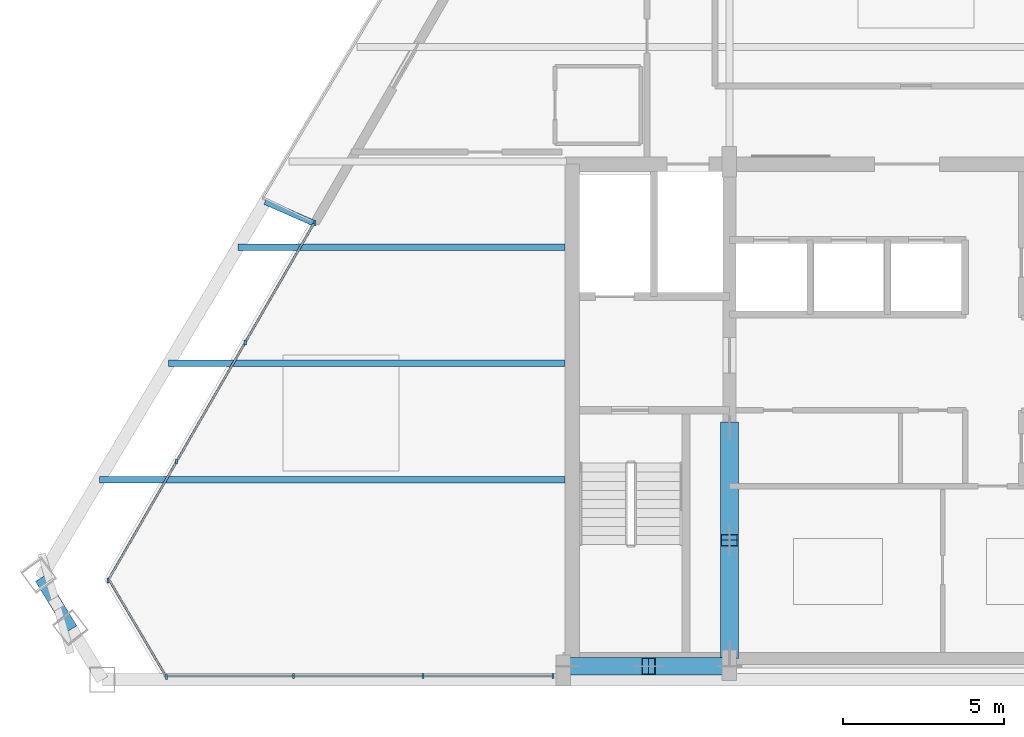
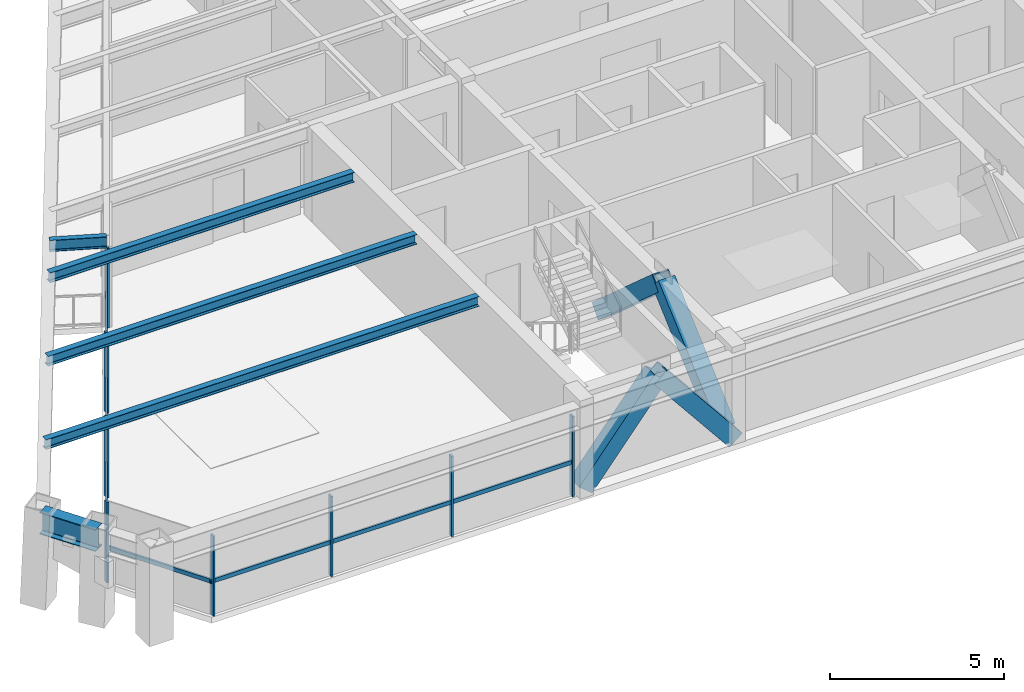
# One storey, part 2 of 13: 19 members, 5 beams, 3 elements without a shape of their own.
"""IFC4 building model written with IfcOpenShell, lengths in metres."""

from ifc_helpers import new_model, si_unit, direction, frame, origin, origin_2d, place, context, subcontext, project, spatial, rectangle, hollow_rectangle, i_section, extrude, source, transform, mapped, material, material_profile, profile_set, type_object, type_shapes, element, aggregate, save


model = new_model("IFC4")

# Units and contexts
model_context = context("Model", 3, precision=1e-05, world=origin(), true_north=direction((0.0, 1.0)))
body_context = subcontext(model_context, "Body", "Model", "MODEL_VIEW")
ifc_project = project(units=[si_unit("LENGTHUNIT", "METRE"), si_unit("AREAUNIT", "SQUARE_METRE"), si_unit("VOLUMEUNIT", "CUBIC_METRE"), si_unit("PLANEANGLEUNIT", "RADIAN"), si_unit("MASSUNIT", "GRAM", prefix="KILO")], contexts=[model_context])

# Site, building, storey
site_placement = place(None, origin())
site = spatial("IfcSite", under=ifc_project, at=site_placement, CompositionType="ELEMENT")
building_placement = place(site_placement, origin())
building = spatial("IfcBuilding", under=site, at=building_placement, Name="Varnakhor Terracotta Tower", CompositionType="ELEMENT")
storey_placement = place(building_placement, frame((0.0, 0.0, 279.89990234375)))
storey = spatial("IfcBuildingStorey", under=building, at=storey_placement, Name="L73", CompositionType="ELEMENT", Elevation=279.89990234375)

# Members
ifc_material_1 = material(Name="Steel S355", Category="steel")
ifc_material_profile_1 = material_profile(ifc_material_1, hollow_rectangle(XDim=0.550048828125, YDim=0.550048828125, WallThickness=0.034912109375, at=origin_2d()), Name="HSS550X550X35")
ifc_profile_set_1 = profile_set([ifc_material_profile_1], Name="Steel S355")
member_type_1 = type_object("IfcMemberType", Name="MBR-MEGA-550", PredefinedType="BRACE", material=ifc_profile_set_1)
shared_shape_1 = source(origin(), body_context, "Body", "SweptSolid", [
    extrude(hollow_rectangle(XDim=0.550048828125, YDim=0.550048828125, WallThickness=0.034912109375, at=origin_2d()), origin(), (0.0, 0.0, 1.0), 3.974853515625),
])
for number, where, z_axis, x_axis, name in (
    (1, (-10.5, 0.419921875, 0.0), (0.628970263838, 0.0, 0.777429358339), (0.0, 1.0, 0.0), "L73 Core Coupled Brace CSWA"),
    (2, (-5.5, 0.419921875, 0.0), (-0.628970263838, 0.0, 0.777429358339), (0.0, -1.0, 0.0), "L73 Core Coupled Brace CSWB"),
):
    element("IfcMember", number, at=place(storey_placement, frame(where, z_axis=z_axis, x_axis=x_axis)), inside=storey, type_object=member_type_1, Name=name, PredefinedType="BRACE", context=body_context, shape_type="MappedRepresentation", body=[
        mapped(shared_shape_1, transform((0.0, 0.0, 0.0), scale=1.0)),
    ])
shared_shape_2 = source(origin(), body_context, "Body", "SweptSolid", [
    extrude(hollow_rectangle(XDim=0.550048828125, YDim=0.550048828125, WallThickness=0.034912109375, at=origin_2d()), origin(), (0.0, 0.0, 1.0), 4.650146484375),
])
for number, where, z_axis, x_axis, name in (
    (3, (-5.5, 0.85009765625, 0.0), (0.0, 0.74726736397, 0.664523503532), (-1.0, 0.0, 0.0), "L73 Core Coupled Brace CWWA"),
    (4, (-5.5, 7.800048828125, 0.0), (0.0, -0.74729054724, 0.664497432655), (1.0, 0.0, 0.0), "L73 Core Coupled Brace CWWB"),
):
    element("IfcMember", number, at=place(storey_placement, frame(where, z_axis=z_axis, x_axis=x_axis)), inside=storey, type_object=member_type_1, Name=name, PredefinedType="BRACE", context=body_context, shape_type="MappedRepresentation", body=[
        mapped(shared_shape_2, transform((0.0, 0.0, 0.0), scale=1.0)),
    ])

# Beams
ifc_material_profile_2 = material_profile(ifc_material_1, i_section(OverallWidth=0.381103515625, OverallDepth=0.77294921875, WebThickness=0.01708984375, FlangeThickness=0.027099609375, FilletRadius=0.01806640625, at=origin_2d()), Name="W30X173")
ifc_profile_set_2 = profile_set([ifc_material_profile_2], Name="Steel S355")
beam_type_1 = type_object("IfcBeamType", Name="BM-W30X173", PredefinedType="BEAM", material=ifc_profile_set_2)
shared_shape_3 = source(origin(), body_context, "Body", "SweptSolid", [
    extrude(i_section(OverallWidth=0.381103515625, OverallDepth=0.77294921875, WebThickness=0.01708984375, FlangeThickness=0.027099609375, FilletRadius=0.01806640625, at=origin_2d()), origin(), (0.0, 0.0, 1.0), 1.84130859375),
])
beam_1_placement = place(storey_placement, frame((-26.832275390625, 3.148681640625, 2.853515625), z_axis=(0.518545586402, -0.855049983816, 0.0), x_axis=(0.855049983816, 0.518545586402, 0.0)))
element("IfcBeam", 5, at=beam_1_placement, inside=storey, type_object=beam_type_1, Name="L73 Perimeter Spandrel 7", PredefinedType="BEAM", context=body_context, shape_type="MappedRepresentation", body=[
    mapped(shared_shape_3, transform((0.0, 0.0, 0.0), scale=1.0)),
])
ifc_material_profile_3 = material_profile(ifc_material_1, i_section(OverallWidth=0.202880859375, OverallDepth=0.346923828125, WebThickness=0.0078125, FlangeThickness=0.013427734375, FilletRadius=0.01806640625, at=origin_2d()), Name="W14X43")
ifc_profile_set_3 = profile_set([ifc_material_profile_3], Name="Steel S355")
beam_type_2 = type_object("IfcBeamType", Name="JST-W14X43", PredefinedType="JOIST", material=ifc_profile_set_3)
shared_shape_4 = source(origin(), body_context, "Body", "SweptSolid", [
    extrude(i_section(OverallWidth=0.202880859375, OverallDepth=0.346923828125, WebThickness=0.0078125, FlangeThickness=0.013427734375, FilletRadius=0.01806640625, at=origin_2d()), origin(), (0.0, 0.0, 1.0), 14.413818359375),
])
beam_2_placement = place(storey_placement, frame((-25.013916015625, 6.199951171875, 3.066650390625), z_axis=(1.0, 0.0, 0.0), x_axis=(0.0, 1.0, 0.0)))
element("IfcBeam", 6, at=beam_2_placement, inside=storey, type_object=beam_type_2, Name="L73 Floor Joist W1", PredefinedType="JOIST", context=body_context, shape_type="MappedRepresentation", body=[
    mapped(shared_shape_4, transform((0.0, 0.0, 0.0), scale=1.0)),
])
shared_shape_5 = source(origin(), body_context, "Body", "SweptSolid", [
    extrude(i_section(OverallWidth=0.202880859375, OverallDepth=0.346923828125, WebThickness=0.0078125, FlangeThickness=0.013427734375, FilletRadius=0.01806640625, at=origin_2d()), origin(), (0.0, 0.0, 1.0), 12.268310546875),
])
beam_3_placement = place(storey_placement, frame((-22.868408203125, 9.800048828125, 3.066650390625), z_axis=(1.0, 0.0, 0.0), x_axis=(0.0, 1.0, 0.0)))
element("IfcBeam", 7, at=beam_3_placement, inside=storey, type_object=beam_type_2, Name="L73 Floor Joist W2", PredefinedType="JOIST", context=body_context, shape_type="MappedRepresentation", body=[
    mapped(shared_shape_5, transform((0.0, 0.0, 0.0), scale=1.0)),
])
shared_shape_6 = source(origin(), body_context, "Body", "SweptSolid", [
    extrude(i_section(OverallWidth=0.202880859375, OverallDepth=0.346923828125, WebThickness=0.0078125, FlangeThickness=0.013427734375, FilletRadius=0.01806640625, at=origin_2d()), origin(), (0.0, 0.0, 1.0), 10.122802734375),
])
beam_4_placement = place(storey_placement, frame((-20.722900390625, 13.39990234375, 3.066650390625), z_axis=(1.0, 0.0, 0.0), x_axis=(0.0, 1.0, 0.0)))
element("IfcBeam", 8, at=beam_4_placement, inside=storey, type_object=beam_type_2, Name="L73 Floor Joist W3", PredefinedType="JOIST", context=body_context, shape_type="MappedRepresentation", body=[
    mapped(shared_shape_6, transform((0.0, 0.0, 0.0), scale=1.0)),
])

# Curtain wall, members
ifc_material_2 = material(Name="Anodised Aluminium Curtain Wall System", Category="aluminium")
curtain_wall_type = type_object("IfcCurtainWallType", Name="CW-SYS-HOTEL-LOGGIA", PredefinedType="NOTDEFINED", material=ifc_material_2)
curtain_wall_1_placement = place(storey_placement, origin())
curtain_wall_1 = element("IfcCurtainWall", 9, at=curtain_wall_1_placement, inside=storey, type_object=curtain_wall_type, Name="L73 W Facet Curtain Wall 1", PredefinedType="NOTDEFINED")
ifc_material_3 = material(Name="Anodised Aluminium 6063-T6", Category="aluminium")
ifc_material_profile_4 = material_profile(ifc_material_3, rectangle(XDim=0.06494140625, YDim=0.159912109375, at=origin_2d()), Name="ALU MULLION 65x160")
ifc_profile_set_4 = profile_set([ifc_material_profile_4], Name="Anodised Aluminium 6063-T6")
member_type_2 = type_object("IfcMemberType", Name="CWM-04", PredefinedType="MULLION", material=ifc_profile_set_4)
shared_shape_7 = source(origin(), body_context, "Body", "SweptSolid", [
    extrude(rectangle(XDim=0.06494140625, YDim=0.159912109375, at=origin_2d()), origin(), (0.0, 0.0, 1.0), 2.820068359375),
])
type_shapes(member_type_2, [shared_shape_7])
member_1_placement = place(storey_placement, frame((-24.74560546875, 3.080810546875, 0.0), z_axis=(0.0, 0.0, 1.0), x_axis=(1.0, 0.0, 0.0)))
member_1 = element("IfcMember", 10, at=member_1_placement, type_object=member_type_2, Name="L73 W Facet Curtain Wall 1 Mullion 1", PredefinedType="MULLION", context=body_context, shape_type="MappedRepresentation", body=[
    mapped(shared_shape_7, transform((0.0, 0.0, 0.0), scale=1.0)),
])
member_2_placement = place(storey_placement, frame((-22.62109375, 6.765380859375, 0.0), z_axis=(0.0, 0.0, 1.0), x_axis=(1.0, 0.0, 0.0)))
member_2 = element("IfcMember", 11, at=member_2_placement, type_object=member_type_2, Name="L73 W Facet Curtain Wall 1 Mullion 2", PredefinedType="MULLION", context=body_context, shape_type="MappedRepresentation", body=[
    mapped(shared_shape_7, transform((0.0, 0.0, 0.0), scale=1.0)),
])
member_3_placement = place(storey_placement, frame((-20.496826171875, 10.44970703125, 0.0), z_axis=(0.0, 0.0, 1.0), x_axis=(1.0, 0.0, 0.0)))
member_3 = element("IfcMember", 12, at=member_3_placement, type_object=member_type_2, Name="L73 W Facet Curtain Wall 1 Mullion 3", PredefinedType="MULLION", context=body_context, shape_type="MappedRepresentation", body=[
    mapped(shared_shape_7, transform((0.0, 0.0, 0.0), scale=1.0)),
])
member_4_placement = place(storey_placement, frame((-18.340087890625, 14.14990234375, 0.0), z_axis=(0.0, 0.0, 1.0), x_axis=(1.0, 0.0, 0.0)))
member_4 = element("IfcMember", 13, at=member_4_placement, type_object=member_type_2, Name="L73 W Loggia Jamb Closure Mullion 1", PredefinedType="MULLION", context=body_context, shape_type="MappedRepresentation", body=[
    mapped(shared_shape_7, transform((0.0, 0.0, 0.0), scale=1.0)),
])

curtain_wall_2_placement = place(storey_placement, origin())
curtain_wall_2 = element("IfcCurtainWall", 14, at=curtain_wall_2_placement, inside=storey, type_object=curtain_wall_type, Name="L73 South Wing Curtain Wall SSW", PredefinedType="NOTDEFINED")
member_5_placement = place(storey_placement, frame((-10.969970703125, 0.1201171875, 0.0), z_axis=(0.0, 0.0, 1.0), x_axis=(1.0, 0.0, 0.0)))
member_5 = element("IfcMember", 15, at=member_5_placement, type_object=member_type_2, Name="L73 South Wing Curtain Wall SSW Mullion 1", PredefinedType="MULLION", context=body_context, shape_type="MappedRepresentation", body=[
    mapped(shared_shape_7, transform((0.0, 0.0, 0.0), scale=1.0)),
])
member_6_placement = place(storey_placement, frame((-14.986083984375, 0.1201171875, 0.0), z_axis=(0.0, 0.0, 1.0), x_axis=(1.0, 0.0, 0.0)))
member_6 = element("IfcMember", 16, at=member_6_placement, type_object=member_type_2, Name="L73 South Wing Curtain Wall SSW Mullion 2", PredefinedType="MULLION", context=body_context, shape_type="MappedRepresentation", body=[
    mapped(shared_shape_7, transform((0.0, 0.0, 0.0), scale=1.0)),
])
member_7_placement = place(storey_placement, frame((-19.001953125, 0.1201171875, 0.0), z_axis=(0.0, 0.0, 1.0), x_axis=(1.0, 0.0, 0.0)))
member_7 = element("IfcMember", 17, at=member_7_placement, type_object=member_type_2, Name="L73 South Wing Curtain Wall SSW Mullion 3", PredefinedType="MULLION", context=body_context, shape_type="MappedRepresentation", body=[
    mapped(shared_shape_7, transform((0.0, 0.0, 0.0), scale=1.0)),
])

# Curtain wall, member
curtain_wall_3_placement = place(storey_placement, origin())
curtain_wall_3 = element("IfcCurtainWall", 18, at=curtain_wall_3_placement, inside=storey, type_object=curtain_wall_type, Name="L73 Facet Curtain Wall 6", PredefinedType="NOTDEFINED")
member_8_placement = place(storey_placement, frame((-22.939697265625, 0.0869140625, 0.0), z_axis=(0.0, 0.0, 1.0), x_axis=(1.0, 0.0, 0.0)))
member_8 = element("IfcMember", 19, at=member_8_placement, type_object=member_type_2, Name="L73 Facet Curtain Wall 6 Mullion 1", PredefinedType="MULLION", context=body_context, shape_type="MappedRepresentation", body=[
    mapped(shared_shape_7, transform((0.0, 0.0, 0.0), scale=1.0)),
])

# Member
ifc_material_profile_5 = material_profile(ifc_material_3, rectangle(XDim=0.06494140625, YDim=0.14501953125, at=origin_2d()), Name="ALU TRANSOM 65x145")
ifc_profile_set_5 = profile_set([ifc_material_profile_5], Name="Anodised Aluminium 6063-T6")
member_type_3 = type_object("IfcMemberType", Name="CWT-04", PredefinedType="USERDEFINED", material=ifc_profile_set_5)
shared_shape_8 = source(origin(), body_context, "Body", "SweptSolid", [
    extrude(rectangle(XDim=0.06494140625, YDim=0.14501953125, at=origin_2d()), origin(), (0.0, 0.0, 1.0), 4.253173828125),
])
member_9_placement = place(storey_placement, frame((-24.74560546875, 3.080810546875, 1.1845703125), z_axis=(0.499510415021, 0.866307881348, 0.0), x_axis=(-0.866307881348, 0.499510415021, 0.0)))
member_9 = element("IfcMember", 20, at=member_9_placement, type_object=member_type_3, Name="L73 W Facet Curtain Wall 1 Transom 1", ObjectType="TRANSOM", PredefinedType="USERDEFINED", context=body_context, shape_type="MappedRepresentation", body=[
    mapped(shared_shape_8, transform((0.0, 0.0, 0.0), scale=1.0)),
])

shared_shape_9 = source(origin(), body_context, "Body", "SweptSolid", [
    extrude(rectangle(XDim=0.06494140625, YDim=0.14501953125, at=origin_2d()), origin(), (0.0, 0.0, 1.0), 4.2529296875),
])
member_10_placement = place(storey_placement, frame((-22.62109375, 6.765380859375, 1.1845703125), z_axis=(0.499492173512, 0.866318399089, 0.0), x_axis=(-0.866318399089, 0.499492173512, 0.0)))
member_10 = element("IfcMember", 21, at=member_10_placement, type_object=member_type_3, Name="L73 W Facet Curtain Wall 1 Transom 2", ObjectType="TRANSOM", PredefinedType="USERDEFINED", context=body_context, shape_type="MappedRepresentation", body=[
    mapped(shared_shape_9, transform((0.0, 0.0, 0.0), scale=1.0)),
])

member_11_placement = place(storey_placement, frame((-20.496826171875, 10.44970703125, 1.1845703125), z_axis=(0.499535255518, 0.86629355792, 0.0), x_axis=(-0.86629355792, 0.499535255518, 0.0)))
member_11 = element("IfcMember", 22, at=member_11_placement, type_object=member_type_3, Name="L73 W Facet Curtain Wall 1 Transom 3", ObjectType="TRANSOM", PredefinedType="USERDEFINED", context=body_context, shape_type="MappedRepresentation", body=[
    mapped(shared_shape_9, transform((0.0, 0.0, 0.0), scale=1.0)),
])

aggregate(curtain_wall_1, [member_1, member_9, member_2, member_10, member_3, member_11, member_4])

shared_shape_10 = source(origin(), body_context, "Body", "SweptSolid", [
    extrude(rectangle(XDim=0.06494140625, YDim=0.14501953125, at=origin_2d()), origin(), (0.0, 0.0, 1.0), 4.01611328125),
])
member_12_placement = place(storey_placement, frame((-10.969970703125, 0.1201171875, 1.1845703125), z_axis=(-1.0, 0.0, 0.0), x_axis=(0.0, -1.0, 0.0)))
member_12 = element("IfcMember", 23, at=member_12_placement, type_object=member_type_3, Name="L73 South Wing Curtain Wall SSW Transom 1", ObjectType="TRANSOM", PredefinedType="USERDEFINED", context=body_context, shape_type="MappedRepresentation", body=[
    mapped(shared_shape_10, transform((0.0, 0.0, 0.0), scale=1.0)),
])

shared_shape_11 = source(origin(), body_context, "Body", "SweptSolid", [
    extrude(rectangle(XDim=0.06494140625, YDim=0.14501953125, at=origin_2d()), origin(), (0.0, 0.0, 1.0), 4.015869140625),
])
member_13_placement = place(storey_placement, frame((-14.986083984375, 0.1201171875, 1.1845703125), z_axis=(-1.0, 0.0, 0.0), x_axis=(0.0, -1.0, 0.0)))
member_13 = element("IfcMember", 24, at=member_13_placement, type_object=member_type_3, Name="L73 South Wing Curtain Wall SSW Transom 2", ObjectType="TRANSOM", PredefinedType="USERDEFINED", context=body_context, shape_type="MappedRepresentation", body=[
    mapped(shared_shape_11, transform((0.0, 0.0, 0.0), scale=1.0)),
])

member_14_placement = place(storey_placement, frame((-19.001953125, 0.1201171875, 1.1845703125), z_axis=(-1.0, 0.0, 0.0), x_axis=(0.0, -1.0, 0.0)))
member_14 = element("IfcMember", 25, at=member_14_placement, type_object=member_type_3, Name="L73 South Wing Curtain Wall SSW Transom 3", ObjectType="TRANSOM", PredefinedType="USERDEFINED", context=body_context, shape_type="MappedRepresentation", body=[
    mapped(shared_shape_11, transform((0.0, 0.0, 0.0), scale=1.0)),
])

aggregate(curtain_wall_2, [member_5, member_12, member_6, member_13, member_7, member_14])

shared_shape_12 = source(origin(), body_context, "Body", "SweptSolid", [
    extrude(rectangle(XDim=0.06494140625, YDim=0.14501953125, at=origin_2d()), origin(), (0.0, 0.0, 1.0), 3.555908203125),
])
member_15_placement = place(storey_placement, frame((-22.939697265625, 0.0869140625, 1.1845703125), z_axis=(-0.507988938379, 0.8613635925, 0.0), x_axis=(-0.8613635925, -0.507988938379, 0.0)))
member_15 = element("IfcMember", 26, at=member_15_placement, type_object=member_type_3, Name="L73 Facet Curtain Wall 6 Transom 1", ObjectType="TRANSOM", PredefinedType="USERDEFINED", context=body_context, shape_type="MappedRepresentation", body=[
    mapped(shared_shape_12, transform((0.0, 0.0, 0.0), scale=1.0)),
])

aggregate(curtain_wall_3, [member_8, member_15])

# Beam
ifc_material_profile_6 = material_profile(ifc_material_1, i_section(OverallWidth=0.179931640625, OverallDepth=0.39990234375, WebThickness=0.008544921875, FlangeThickness=0.013427734375, FilletRadius=0.01806640625, at=origin_2d()), Name="IPE400")
ifc_profile_set_6 = profile_set([ifc_material_profile_6], Name="Steel S355")
beam_type_3 = type_object("IfcBeamType", Name="JST-IPE400", PredefinedType="JOIST", material=ifc_profile_set_6)
shared_shape_13 = source(origin(), body_context, "Body", "SweptSolid", [
    extrude(i_section(OverallWidth=0.179931640625, OverallDepth=0.39990234375, WebThickness=0.008544921875, FlangeThickness=0.013427734375, FilletRadius=0.01806640625, at=origin_2d()), origin(), (0.0, 0.0, 1.0), 1.65771484375),
])
beam_5_placement = place(storey_placement, frame((-18.365966796875, 14.141357421875, 3.0400390625), z_axis=(-0.915558072996, 0.402185796582, 0.0), x_axis=(-0.402185796582, -0.915558072996, 0.0)))
element("IfcBeam", 27, at=beam_5_placement, inside=storey, type_object=beam_type_3, Name="L74 W Loggia Tie Beam 1", PredefinedType="JOIST", context=body_context, shape_type="MappedRepresentation", body=[
    mapped(shared_shape_13, transform((0.0, 0.0, 0.0), scale=1.0)),
])

save(model, "model.ifc")
